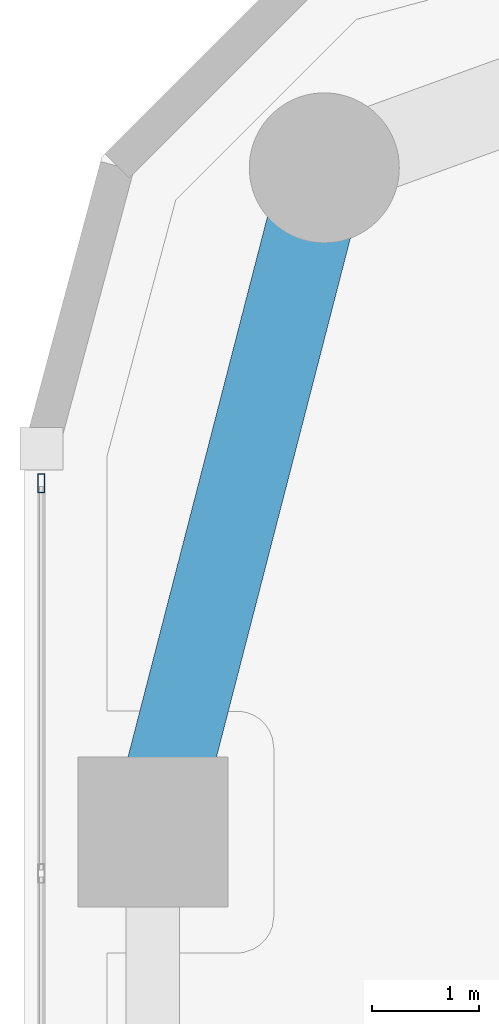
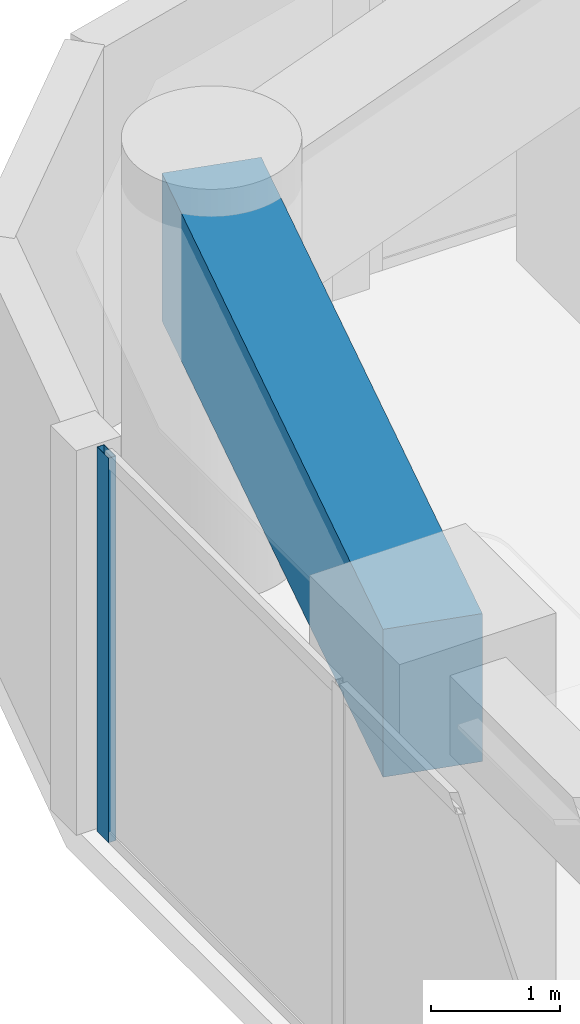
# One storey, part 11 of 24: 1 beam, 1 member, 1 element without a shape of its own.
"""IFC4 building model written with IfcOpenShell, lengths in metres."""

from ifc_helpers import new_model, si_unit, direction, frame, origin, origin_2d, place, context, subcontext, project, spatial, rectangle, hollow_rectangle, extrude, material, layer, layer_set, material_profile, profile_set, type_object, element, aggregate, save


model = new_model("IFC4")

# Units and contexts
model_context = context("Model", 3, precision=1e-05, world=origin(), true_north=direction((0.0, 1.0)))
body_context = subcontext(model_context, "Body", "Model", "MODEL_VIEW")
ifc_project = project(units=[si_unit("LENGTHUNIT", "METRE"), si_unit("AREAUNIT", "SQUARE_METRE"), si_unit("VOLUMEUNIT", "CUBIC_METRE"), si_unit("PLANEANGLEUNIT", "RADIAN"), si_unit("MASSUNIT", "GRAM", prefix="KILO")], contexts=[model_context])

# Site, building, storey
site_placement = place(None, origin())
site = spatial("IfcSite", under=ifc_project, at=site_placement, CompositionType="ELEMENT")
building_placement = place(site_placement, origin())
building = spatial("IfcBuilding", under=site, at=building_placement, Name="Kiyonajd Concourse Tower", CompositionType="ELEMENT")
storey_placement = place(building_placement, frame((0.0, 0.0, 93.60009765625)))
storey = spatial("IfcBuildingStorey", under=building, at=storey_placement, Name="L24", CompositionType="ELEMENT", Elevation=93.60009765625)

# Beam
ifc_material_1 = material(Name="Concrete C60/75", Category="concrete")
ifc_material_profile_1 = material_profile(ifc_material_1, rectangle(XDim=0.800048828125, YDim=1.39990234375, at=origin_2d()), Name="RCBM-800x1400")
ifc_profile_set_1 = profile_set([ifc_material_profile_1], Name="Concrete C60/75")
beam_type = type_object("IfcBeamType", Name="BM-XFER-RC", PredefinedType="BEAM", material=ifc_profile_set_1)
beam_placement = place(storey_placement, frame((20.800048828125, 59.60009765625, 2.93994140625), z_axis=(-0.249884937687, -0.968275538221, 0.0), x_axis=(0.968275538221, -0.249884937687, 0.0)))
element("IfcBeam", 1, at=beam_placement, inside=storey, type_object=beam_type, Name="L24 Perimeter Bundled Tube Spandrel", PredefinedType="BEAM", context=body_context, shape_type="SweptSolid", body=[
    extrude(rectangle(XDim=0.800048828125, YDim=1.39990234375, at=origin_2d()), origin(), (0.0, 0.0, 1.0), 6.4033203125),
])

# Curtain wall, member
ifc_material_2 = material(Name="Thermally Broken Anodised Aluminium", Category="aluminium")
ifc_layer = layer(ifc_material_2, 0.179931640625)
ifc_layer_set = layer_set([ifc_layer], Name="Thermally Broken Anodised Aluminium")
curtain_wall_type = type_object("IfcCurtainWallType", Name="CW-SYS-03", PredefinedType="NOTDEFINED", material=ifc_layer_set)
curtain_wall_placement = place(storey_placement, origin())
curtain_wall = element("IfcCurtainWall", 2, at=curtain_wall_placement, inside=storey, type_object=curtain_wall_type, Name="L24 Unitised Curtain Wall CW3", PredefinedType="NOTDEFINED")
ifc_material_profile_2 = material_profile(ifc_material_2, hollow_rectangle(XDim=0.06494140625, YDim=0.179931640625, WallThickness=0.00390625, at=origin_2d()), Name="MULL-65x180")
ifc_profile_set_2 = profile_set([ifc_material_profile_2], Name="Thermally Broken Anodised Aluminium")
member_type = type_object("IfcMemberType", Name="MB-CW-MULL1", PredefinedType="MULLION", material=ifc_profile_set_2)
member_placement = place(storey_placement, frame((18.159912109375, 56.656494140625, 0.0), z_axis=(0.0, 0.0, 1.0), x_axis=(-1.0, 0.0, 0.0)))
member = element("IfcMember", 3, at=member_placement, type_object=member_type, Name="CW3 mullion 7", PredefinedType="MULLION", context=body_context, shape_type="SweptSolid", body=[
    extrude(hollow_rectangle(XDim=0.06494140625, YDim=0.179931640625, WallThickness=0.00390625, at=origin_2d()), origin(), (0.0, 0.0, 1.0), 3.639892578125),
])
aggregate(curtain_wall, [member])

save(model, "model.ifc")
